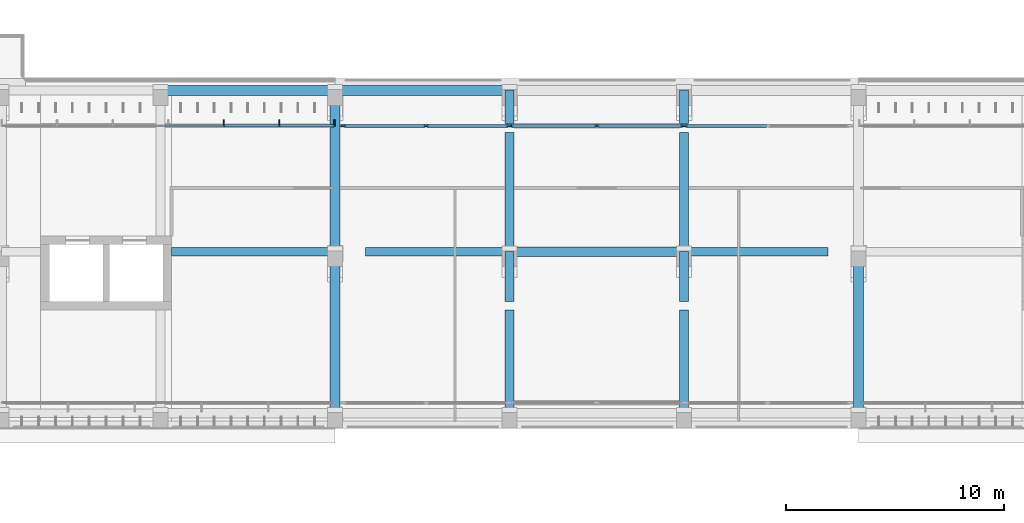
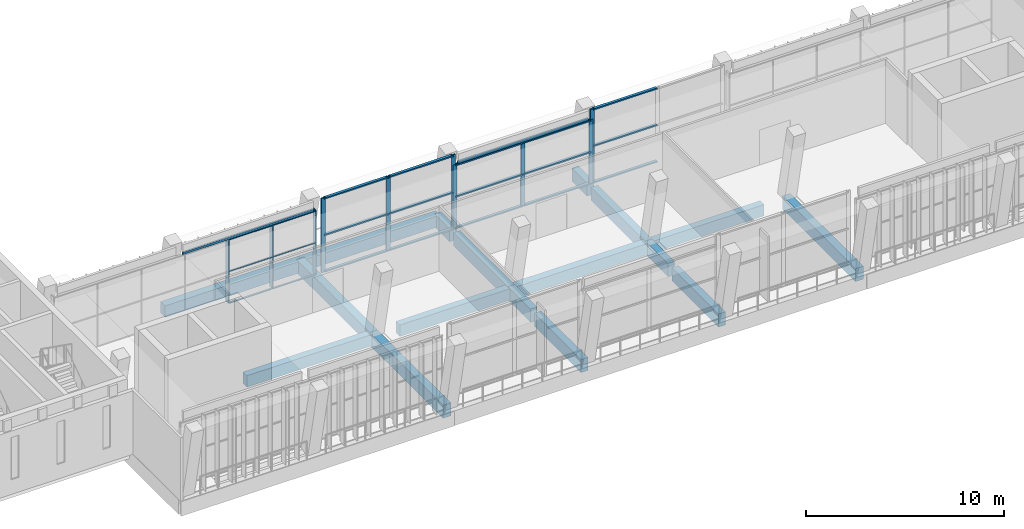
# One storey, part 7 of 73: 31 members, 19 beams, 4 elements without a shape of their own.
"""IFC4 building model written with IfcOpenShell, lengths in metres."""

import ifcopenshell
import ifcopenshell.guid

model = None  # the IFC model being written
_history = None  # IfcOwnerHistory: only IFC2X3 demands one
_inside = {}  # id of a spatial element -> (the spatial element, [elements in it])
_under = {}  # id of a project, library or spatial element -> (it, [spatial elements below it])
_declared = {}  # id of a project -> (the project, [libraries it declares])
_typed = {}  # id of a type object -> (the type object, [elements of that type])
_made_of = {}  # id of a material, layer set ... -> (it, [elements and type objects made of it])


def new_model(schema):
    """Start an empty IFC model of exactly this schema.

    Asked for "IFC4X3", IfcOpenShell would pick the latest addendum, in which some entities
    have other attributes; the version numbers below select the first issue.
    IFC2X3 requires an IfcOwnerHistory on every rooted entity: one is made here for all.
    """
    global model, _history
    if schema == "IFC4X3":
        model = ifcopenshell.file(schema_version=(4, 3, 0, 0))
    else:
        model = ifcopenshell.file(schema=schema)
    _inside.clear()
    _under.clear()
    _declared.clear()
    _typed.clear()
    _made_of.clear()
    _history = None
    if model.schema == "IFC2X3":
        org = make("IfcOrganization", Name="unknown")
        user = make(
            "IfcPersonAndOrganization",
            ThePerson=make("IfcPerson", FamilyName="unknown"),
            TheOrganization=org,
        )
        app = make(
            "IfcApplication",
            ApplicationDeveloper=org,
            Version="unknown",
            ApplicationFullName="unknown",
            ApplicationIdentifier="unknown",
        )
        _history = make(
            "IfcOwnerHistory",
            OwningUser=user,
            OwningApplication=app,
            ChangeAction="ADDED",
            CreationDate=0,
        )
    return model


def make(cls, **values):
    """One entity of the class cls with the attributes given. An attribute that is None is left unset."""
    return model.create_entity(
        cls, **{name: value for name, value in values.items() if value is not None}
    )


def rooted(cls, **values):
    """An entity with a GlobalId (a new one), such as an element, a storey or a relation."""
    return make(cls, GlobalId=ifcopenshell.guid.new(), OwnerHistory=_history, **values)


def si_unit(unit_type, name, prefix=None):
    """IfcSIUnit, for example si_unit("LENGTHUNIT", "METRE", prefix="MILLI")."""
    return make("IfcSIUnit", UnitType=unit_type, Prefix=prefix, Name=name)


def assignment(units):
    """IfcUnitAssignment: the units of a project."""
    return None if units is None else make("IfcUnitAssignment", Units=units)


def point(xyz):
    """IfcCartesianPoint."""
    return None if xyz is None else make("IfcCartesianPoint", Coordinates=xyz)


def direction(xyz):
    """IfcDirection."""
    return None if xyz is None else make("IfcDirection", DirectionRatios=xyz)


def frame(location, z_axis=None, x_axis=None):
    """IfcAxis2Placement3D, a coordinate frame: its origin and axes. An axis left out is left unset."""
    return make(
        "IfcAxis2Placement3D",
        Location=point(location),
        Axis=direction(z_axis),
        RefDirection=direction(x_axis),
    )


def frame_2d(location, x_axis=None):
    """IfcAxis2Placement2D, a coordinate frame in the plane: its origin and x axis."""
    return make(
        "IfcAxis2Placement2D", Location=point(location), RefDirection=direction(x_axis)
    )


def origin():
    """The frame at (0, 0, 0) with its axes left unset."""
    return frame((0.0, 0.0, 0.0))


def origin_2d():
    """The frame at (0, 0) in the plane with its x axis left unset."""
    return frame_2d((0.0, 0.0))


def place(relative_to, where):
    """IfcLocalPlacement: puts the frame where relative to a parent placement (None: the world)."""
    return make(
        "IfcLocalPlacement", PlacementRelTo=relative_to, RelativePlacement=where
    )


def context(
    kind, dimensions, precision=None, world=None, true_north=None, identifier=None
):
    """IfcGeometricRepresentationContext, for example the 3D "Model" context."""
    return make(
        "IfcGeometricRepresentationContext",
        ContextIdentifier=identifier,
        ContextType=kind,
        CoordinateSpaceDimension=dimensions,
        Precision=precision,
        WorldCoordinateSystem=world,
        TrueNorth=true_north,
    )


def subcontext(parent, identifier, kind, view, scale=None):
    """IfcGeometricRepresentationSubContext, for example "Body" below "Model"."""
    return make(
        "IfcGeometricRepresentationSubContext",
        ContextIdentifier=identifier,
        ContextType=kind,
        ParentContext=parent,
        TargetScale=scale,
        TargetView=view,
    )


def project(units=None, contexts=None):
    """IfcProject with its units and contexts."""
    return rooted(
        "IfcProject",
        Name="project",
        RepresentationContexts=contexts,
        UnitsInContext=assignment(units),
    )


def spatial(cls, under=None, at=None, **own):
    """A site, building, storey or space (cls), placed at a placement, below another one or the project."""
    s = rooted(cls, ObjectPlacement=at, **own)
    if under is not None:
        _under.setdefault(under.id(), (under, []))[1].append(s)
    return s


def profile(cls, at=None, kind="AREA", **sizes):
    """A parametric profile (cls). Its sizes go by their IFC names, for example OverallWidth=200.0."""
    return make(cls, ProfileType=kind, Position=at, **sizes)


def rectangle(**sizes):
    """IfcRectangleProfileDef."""
    return profile("IfcRectangleProfileDef", **sizes)


def hollow_rectangle(**sizes):
    """IfcRectangleHollowProfileDef."""
    return profile("IfcRectangleHollowProfileDef", **sizes)


def extrude(swept, where, along, depth):
    """IfcExtrudedAreaSolid: the profile swept, set in the frame where, extruded along a direction by depth."""
    return make(
        "IfcExtrudedAreaSolid",
        SweptArea=swept,
        Position=where,
        ExtrudedDirection=direction(along),
        Depth=depth,
    )


def shape(context_of_items, identifier, shape_type, items):
    """IfcShapeRepresentation: the items that make up one representation, for example the "Body"."""
    return make(
        "IfcShapeRepresentation",
        ContextOfItems=context_of_items,
        RepresentationIdentifier=identifier,
        RepresentationType=shape_type,
        Items=items,
    )


def material(Name=None, Category=None):
    """IfcMaterial."""
    return make("IfcMaterial", Name=Name, Category=Category)


def material_profile(
    of_material, cross_section, Name=None, Category=None, Priority=None
):
    """IfcMaterialProfile: a cross section and its material."""
    return make(
        "IfcMaterialProfile",
        Name=Name,
        Material=of_material,
        Profile=cross_section,
        Priority=Priority,
        Category=Category,
    )


def profile_set(profiles, Name=None, composite=None):
    """IfcMaterialProfileSet."""
    return make(
        "IfcMaterialProfileSet",
        Name=Name,
        MaterialProfiles=profiles,
        CompositeProfile=composite,
    )


def made_of(thing, what):
    """Note that an element or type object is made of a material, layer set ...; save() writes the relation."""
    if what is not None:
        _made_of.setdefault(what.id(), (what, []))[1].append(thing)
    return thing


def type_object(cls, material=None, **own):
    """A type object (cls), such as IfcWallType, which elements share."""
    return made_of(rooted(cls, **own), material)


def element(
    cls,
    number,
    at=None,
    inside=None,
    cuts=None,
    type_object=None,
    material=None,
    context=None,
    identifier="Body",
    shape_type=None,
    held_by="IfcProductDefinitionShape",
    body=None,
    shapes=None,
    **own,
):
    """One element of the class cls, such as IfcWall. Its Tag is "e" and its number.

    at: its placement. inside: the storey or other place that contains it. cuts: it is an
    opening in that element (IfcRelVoidsElement). A single representation is given by context,
    identifier, shape_type and body (its items); several are given by shapes. held_by: the class
    of the entity that holds the representations. save() writes the other relations.
    """
    e = rooted(cls, Tag="e%d" % number, ObjectPlacement=at, **own)
    if body is not None:
        shapes = [shape(context, identifier, shape_type, body)]
    if shapes is not None:
        e.Representation = make(held_by, Representations=shapes)
    if inside is not None:
        _inside.setdefault(inside.id(), (inside, []))[1].append(e)
    if cuts is not None:
        rooted(
            "IfcRelVoidsElement", RelatingBuildingElement=cuts, RelatedOpeningElement=e
        )
    if type_object is not None:
        _typed.setdefault(type_object.id(), (type_object, []))[1].append(e)
    return made_of(e, material)


def aggregate(whole, parts):
    """IfcRelAggregates: a whole, such as a stair, and the parts it consists of."""
    return rooted("IfcRelAggregates", RelatingObject=whole, RelatedObjects=parts)


def save(model, path):
    """Write the relations noted so far, then the file.

    IfcRelAggregates (storeys below a building ...), IfcRelContainedInSpatialStructure (elements
    in a storey), IfcRelDefinesByType, IfcRelAssociatesMaterial and IfcRelDeclares: one each for
    every whole, place, type object, material and project.
    """
    for whole, parts in _under.values():
        aggregate(whole, parts)
    for where, things in _inside.values():
        rooted(
            "IfcRelContainedInSpatialStructure",
            RelatedElements=things,
            RelatingStructure=where,
        )
    for kind, things in _typed.values():
        rooted("IfcRelDefinesByType", RelatedObjects=things, RelatingType=kind)
    for what, things in _made_of.values():
        rooted("IfcRelAssociatesMaterial", RelatedObjects=things, RelatingMaterial=what)
    for by, libraries in _declared.values():
        rooted("IfcRelDeclares", RelatingContext=by, RelatedDefinitions=libraries)
    model.write(path)


model = new_model("IFC4")

# Units and contexts
model_context = context("Model", 3, precision=1e-05, world=origin(), true_north=direction((0.0, 1.0)))
body_context = subcontext(model_context, "Body", "Model", "MODEL_VIEW")
ifc_project = project(units=[si_unit("LENGTHUNIT", "METRE"), si_unit("AREAUNIT", "SQUARE_METRE"), si_unit("VOLUMEUNIT", "CUBIC_METRE"), si_unit("PLANEANGLEUNIT", "RADIAN"), si_unit("MASSUNIT", "GRAM", prefix="KILO")], contexts=[model_context])

# Site, building, storey
site_placement = place(None, origin())
site = spatial("IfcSite", under=ifc_project, at=site_placement, CompositionType="ELEMENT")
building_placement = place(site_placement, origin())
building = spatial("IfcBuilding", under=site, at=building_placement, Name="Lantern Court Media Centre", CompositionType="ELEMENT")
storey_placement = place(building_placement, frame((0.0, 0.0, 24.0)))
storey = spatial("IfcBuildingStorey", under=building, at=storey_placement, Name="L05", CompositionType="ELEMENT", Elevation=24.0)

# Curtain wall, members
ifc_material_1 = material(Name="Curtain wall bay 2400")
curtain_wall_type_1 = type_object("IfcCurtainWallType", Name="Curtain wall bay 2400", PredefinedType="NOTDEFINED", material=ifc_material_1)
curtain_wall_1_placement = place(storey_placement, origin())
curtain_wall_1 = element("IfcCurtainWall", 1, at=curtain_wall_1_placement, inside=storey, type_object=curtain_wall_type_1, Name="Curtain wall S inner L05", PredefinedType="NOTDEFINED")
ifc_material_2 = material(Name="Anodised aluminium", Category="aluminium")
ifc_material_profile_1 = material_profile(ifc_material_2, rectangle(XDim=0.300048828125, YDim=0.050048828125, at=origin_2d()), Name="AL 50x300")
ifc_profile_set_1 = profile_set([ifc_material_profile_1], Name="Anodised aluminium")
member_type_1 = type_object("IfcMemberType", Name="Curtain wall mullion 50x300", PredefinedType="MULLION", material=ifc_profile_set_1)
member_1_placement = place(storey_placement, frame((34.89990234375, 56.969970703125, 0.0), z_axis=(0.0, 0.0, 1.0), x_axis=(0.0, 1.0, 0.0)))
member_1 = element("IfcMember", 2, at=member_1_placement, type_object=member_type_1, Name="CW2 mullion 5", PredefinedType="MULLION", context=body_context, shape_type="SweptSolid", body=[
    extrude(rectangle(XDim=0.300048828125, YDim=0.050048828125, at=origin_2d()), origin(), (0.0, 0.0, 1.0), 3.949951171875),
])
member_2_placement = place(storey_placement, frame((37.449951171875, 56.969970703125, 0.0), z_axis=(0.0, 0.0, 1.0), x_axis=(0.0, 1.0, 0.0)))
member_2 = element("IfcMember", 3, at=member_2_placement, type_object=member_type_1, Name="CW2 mullion 6", PredefinedType="MULLION", context=body_context, shape_type="SweptSolid", body=[
    extrude(rectangle(XDim=0.300048828125, YDim=0.050048828125, at=origin_2d()), origin(), (0.0, 0.0, 1.0), 3.949951171875),
])
member_3_placement = place(storey_placement, frame((39.97509765625, 56.969970703125, 0.0), z_axis=(0.0, 0.0, 1.0), x_axis=(0.0, 1.0, 0.0)))
member_3 = element("IfcMember", 4, at=member_3_placement, type_object=member_type_1, Name="CW2 mullion 7", PredefinedType="MULLION", context=body_context, shape_type="SweptSolid", body=[
    extrude(rectangle(XDim=0.300048828125, YDim=0.050048828125, at=origin_2d()), origin(), (0.0, 0.0, 1.0), 3.949951171875),
])

ifc_material_3 = material(Name="Curtain wall bay 4000")
curtain_wall_type_2 = type_object("IfcCurtainWallType", Name="Curtain wall bay 4000", PredefinedType="NOTDEFINED", material=ifc_material_3)
curtain_wall_2_placement = place(storey_placement, origin())
curtain_wall_2 = element("IfcCurtainWall", 5, at=curtain_wall_2_placement, inside=storey, type_object=curtain_wall_type_2, Name="Curtain wall S inner L05", PredefinedType="NOTDEFINED")
ifc_material_profile_2 = material_profile(ifc_material_2, rectangle(XDim=0.080078125, YDim=0.239990234375, at=origin_2d()), Name="AL 80x240")
ifc_profile_set_2 = profile_set([ifc_material_profile_2], Name="Anodised aluminium")
member_type_2 = type_object("IfcMemberType", Name="Curtain wall mullion 80x240", PredefinedType="MULLION", material=ifc_profile_set_2)
member_4_placement = place(storey_placement, frame((40.389892578125, 56.85009765625, 0.0), z_axis=(0.0, 0.0, 1.0), x_axis=(0.0, 1.0, 0.0)))
member_4 = element("IfcMember", 6, at=member_4_placement, type_object=member_type_2, Name="CW3 mullion 1", PredefinedType="MULLION", context=body_context, shape_type="SweptSolid", body=[
    extrude(rectangle(XDim=0.080078125, YDim=0.239990234375, at=origin_2d()), origin(), (0.0, 0.0, 1.0), 4.580078125),
])
member_5_placement = place(storey_placement, frame((44.175048828125, 56.85009765625, 0.0), z_axis=(0.0, 0.0, 1.0), x_axis=(0.0, 1.0, 0.0)))
member_5 = element("IfcMember", 7, at=member_5_placement, type_object=member_type_2, Name="CW3 mullion 2", PredefinedType="MULLION", context=body_context, shape_type="SweptSolid", body=[
    extrude(rectangle(XDim=0.080078125, YDim=0.239990234375, at=origin_2d()), origin(), (0.0, 0.0, 1.0), 4.580078125),
])
member_6_placement = place(storey_placement, frame((47.9599609375, 56.85009765625, 0.0), z_axis=(0.0, 0.0, 1.0), x_axis=(0.0, 1.0, 0.0)))
member_6 = element("IfcMember", 8, at=member_6_placement, type_object=member_type_2, Name="CW3 mullion 3", PredefinedType="MULLION", context=body_context, shape_type="SweptSolid", body=[
    extrude(rectangle(XDim=0.080078125, YDim=0.239990234375, at=origin_2d()), origin(), (0.0, 0.0, 1.0), 4.580078125),
])

curtain_wall_3_placement = place(storey_placement, origin())
curtain_wall_3 = element("IfcCurtainWall", 9, at=curtain_wall_3_placement, inside=storey, type_object=curtain_wall_type_2, Name="Curtain wall S inner L05", PredefinedType="NOTDEFINED")
member_7_placement = place(storey_placement, frame((48.0400390625, 56.85009765625, 0.0), z_axis=(0.0, 0.0, 1.0), x_axis=(0.0, 1.0, 0.0)))
member_7 = element("IfcMember", 10, at=member_7_placement, type_object=member_type_2, Name="CW3 mullion 1", PredefinedType="MULLION", context=body_context, shape_type="SweptSolid", body=[
    extrude(rectangle(XDim=0.080078125, YDim=0.239990234375, at=origin_2d()), origin(), (0.0, 0.0, 1.0), 3.949951171875),
])
member_8_placement = place(storey_placement, frame((52.0, 56.85009765625, 0.0), z_axis=(0.0, 0.0, 1.0), x_axis=(0.0, 1.0, 0.0)))
member_8 = element("IfcMember", 11, at=member_8_placement, type_object=member_type_2, Name="CW3 mullion 2", PredefinedType="MULLION", context=body_context, shape_type="SweptSolid", body=[
    extrude(rectangle(XDim=0.080078125, YDim=0.239990234375, at=origin_2d()), origin(), (0.0, 0.0, 1.0), 3.949951171875),
])
member_9_placement = place(storey_placement, frame((55.9599609375, 56.85009765625, 0.0), z_axis=(0.0, 0.0, 1.0), x_axis=(0.0, 1.0, 0.0)))
member_9 = element("IfcMember", 12, at=member_9_placement, type_object=member_type_2, Name="CW3 mullion 3", PredefinedType="MULLION", context=body_context, shape_type="SweptSolid", body=[
    extrude(rectangle(XDim=0.080078125, YDim=0.239990234375, at=origin_2d()), origin(), (0.0, 0.0, 1.0), 3.949951171875),
])

# Curtain wall, member
curtain_wall_4_placement = place(storey_placement, origin())
curtain_wall_4 = element("IfcCurtainWall", 13, at=curtain_wall_4_placement, inside=storey, type_object=curtain_wall_type_2, Name="Curtain wall S inner L05", PredefinedType="NOTDEFINED")
member_10_placement = place(storey_placement, frame((56.0400390625, 56.85009765625, 0.0), z_axis=(0.0, 0.0, 1.0), x_axis=(0.0, 1.0, 0.0)))
member_10 = element("IfcMember", 14, at=member_10_placement, type_object=member_type_2, Name="CW3 mullion 1", PredefinedType="MULLION", context=body_context, shape_type="SweptSolid", body=[
    extrude(rectangle(XDim=0.080078125, YDim=0.239990234375, at=origin_2d()), origin(), (0.0, 0.0, 1.0), 4.580078125),
])

# Member
ifc_material_profile_3 = material_profile(ifc_material_2, rectangle(XDim=0.10009765625, YDim=0.050048828125, at=origin_2d()), Name="AL 50x100")
ifc_profile_set_3 = profile_set([ifc_material_profile_3], Name="Anodised aluminium")
member_type_3 = type_object("IfcMemberType", Name="Curtain wall transom 100x50", PredefinedType="USERDEFINED", material=ifc_profile_set_3)
member_11_placement = place(storey_placement, frame((34.925048828125, 56.85009765625, 0.02490234375), z_axis=(1.0, 0.0, 0.0), x_axis=(0.0, 1.0, 0.0)))
member_11 = element("IfcMember", 15, at=member_11_placement, type_object=member_type_3, Name="CW2 transom 5.1", ObjectType="TRANSOM", PredefinedType="USERDEFINED", context=body_context, shape_type="SweptSolid", body=[
    extrude(rectangle(XDim=0.10009765625, YDim=0.050048828125, at=origin_2d()), origin(), (0.0, 0.0, 1.0), 2.5),
])

member_12_placement = place(storey_placement, frame((34.925048828125, 56.85009765625, 1.97509765625), z_axis=(1.0, 0.0, 0.0), x_axis=(0.0, 1.0, 0.0)))
member_12 = element("IfcMember", 16, at=member_12_placement, type_object=member_type_3, Name="CW2 transom 5.2", ObjectType="TRANSOM", PredefinedType="USERDEFINED", context=body_context, shape_type="SweptSolid", body=[
    extrude(rectangle(XDim=0.10009765625, YDim=0.050048828125, at=origin_2d()), origin(), (0.0, 0.0, 1.0), 2.5),
])

member_13_placement = place(storey_placement, frame((34.925048828125, 56.85009765625, 3.925048828125), z_axis=(1.0, 0.0, 0.0), x_axis=(0.0, 1.0, 0.0)))
member_13 = element("IfcMember", 17, at=member_13_placement, type_object=member_type_3, Name="CW2 transom 5.3", ObjectType="TRANSOM", PredefinedType="USERDEFINED", context=body_context, shape_type="SweptSolid", body=[
    extrude(rectangle(XDim=0.10009765625, YDim=0.050048828125, at=origin_2d()), origin(), (0.0, 0.0, 1.0), 2.5),
])

member_14_placement = place(storey_placement, frame((37.47509765625, 56.85009765625, 0.02490234375), z_axis=(1.0, 0.0, 0.0), x_axis=(0.0, 1.0, 0.0)))
member_14 = element("IfcMember", 18, at=member_14_placement, type_object=member_type_3, Name="CW2 transom 6.1", ObjectType="TRANSOM", PredefinedType="USERDEFINED", context=body_context, shape_type="SweptSolid", body=[
    extrude(rectangle(XDim=0.10009765625, YDim=0.050048828125, at=origin_2d()), origin(), (0.0, 0.0, 1.0), 2.474853515625),
])

member_15_placement = place(storey_placement, frame((37.47509765625, 56.85009765625, 1.97509765625), z_axis=(1.0, 0.0, 0.0), x_axis=(0.0, 1.0, 0.0)))
member_15 = element("IfcMember", 19, at=member_15_placement, type_object=member_type_3, Name="CW2 transom 6.2", ObjectType="TRANSOM", PredefinedType="USERDEFINED", context=body_context, shape_type="SweptSolid", body=[
    extrude(rectangle(XDim=0.10009765625, YDim=0.050048828125, at=origin_2d()), origin(), (0.0, 0.0, 1.0), 2.474853515625),
])

member_16_placement = place(storey_placement, frame((37.47509765625, 56.85009765625, 3.925048828125), z_axis=(1.0, 0.0, 0.0), x_axis=(0.0, 1.0, 0.0)))
member_16 = element("IfcMember", 20, at=member_16_placement, type_object=member_type_3, Name="CW2 transom 6.3", ObjectType="TRANSOM", PredefinedType="USERDEFINED", context=body_context, shape_type="SweptSolid", body=[
    extrude(rectangle(XDim=0.10009765625, YDim=0.050048828125, at=origin_2d()), origin(), (0.0, 0.0, 1.0), 2.474853515625),
])

aggregate(curtain_wall_1, [member_1, member_2, member_3, member_11, member_12, member_13, member_14, member_15, member_16])

ifc_material_profile_4 = material_profile(ifc_material_2, rectangle(XDim=0.159912109375, YDim=0.080078125, at=origin_2d()), Name="AL 80x160")
ifc_profile_set_4 = profile_set([ifc_material_profile_4], Name="Anodised aluminium")
member_type_4 = type_object("IfcMemberType", Name="Curtain wall transom 160x80", PredefinedType="USERDEFINED", material=ifc_profile_set_4)
member_17_placement = place(storey_placement, frame((40.429931640625, 56.85009765625, 0.0400390625), z_axis=(1.0, 0.0, 0.0), x_axis=(0.0, 1.0, 0.0)))
member_17 = element("IfcMember", 21, at=member_17_placement, type_object=member_type_4, Name="CW3 transom 1.1", ObjectType="TRANSOM", PredefinedType="USERDEFINED", context=body_context, shape_type="SweptSolid", body=[
    extrude(rectangle(XDim=0.159912109375, YDim=0.080078125, at=origin_2d()), origin(), (0.0, 0.0, 1.0), 3.705078125),
])

member_18_placement = place(storey_placement, frame((40.429931640625, 56.85009765625, 2.2900390625), z_axis=(1.0, 0.0, 0.0), x_axis=(0.0, 1.0, 0.0)))
member_18 = element("IfcMember", 22, at=member_18_placement, type_object=member_type_4, Name="CW3 transom 1.2", ObjectType="TRANSOM", PredefinedType="USERDEFINED", context=body_context, shape_type="SweptSolid", body=[
    extrude(rectangle(XDim=0.159912109375, YDim=0.080078125, at=origin_2d()), origin(), (0.0, 0.0, 1.0), 3.705078125),
])

member_19_placement = place(storey_placement, frame((40.429931640625, 56.85009765625, 4.5400390625), z_axis=(1.0, 0.0, 0.0), x_axis=(0.0, 1.0, 0.0)))
member_19 = element("IfcMember", 23, at=member_19_placement, type_object=member_type_4, Name="CW3 transom 1.3", ObjectType="TRANSOM", PredefinedType="USERDEFINED", context=body_context, shape_type="SweptSolid", body=[
    extrude(rectangle(XDim=0.159912109375, YDim=0.080078125, at=origin_2d()), origin(), (0.0, 0.0, 1.0), 3.705078125),
])

member_20_placement = place(storey_placement, frame((44.215087890625, 56.85009765625, 0.0400390625), z_axis=(1.0, 0.0, 0.0), x_axis=(0.0, 1.0, 0.0)))
member_20 = element("IfcMember", 24, at=member_20_placement, type_object=member_type_4, Name="CW3 transom 2.1", ObjectType="TRANSOM", PredefinedType="USERDEFINED", context=body_context, shape_type="SweptSolid", body=[
    extrude(rectangle(XDim=0.159912109375, YDim=0.080078125, at=origin_2d()), origin(), (0.0, 0.0, 1.0), 3.704833984375),
])

member_21_placement = place(storey_placement, frame((44.215087890625, 56.85009765625, 2.2900390625), z_axis=(1.0, 0.0, 0.0), x_axis=(0.0, 1.0, 0.0)))
member_21 = element("IfcMember", 25, at=member_21_placement, type_object=member_type_4, Name="CW3 transom 2.2", ObjectType="TRANSOM", PredefinedType="USERDEFINED", context=body_context, shape_type="SweptSolid", body=[
    extrude(rectangle(XDim=0.159912109375, YDim=0.080078125, at=origin_2d()), origin(), (0.0, 0.0, 1.0), 3.704833984375),
])

member_22_placement = place(storey_placement, frame((44.215087890625, 56.85009765625, 4.5400390625), z_axis=(1.0, 0.0, 0.0), x_axis=(0.0, 1.0, 0.0)))
member_22 = element("IfcMember", 26, at=member_22_placement, type_object=member_type_4, Name="CW3 transom 2.3", ObjectType="TRANSOM", PredefinedType="USERDEFINED", context=body_context, shape_type="SweptSolid", body=[
    extrude(rectangle(XDim=0.159912109375, YDim=0.080078125, at=origin_2d()), origin(), (0.0, 0.0, 1.0), 3.704833984375),
])

aggregate(curtain_wall_2, [member_4, member_5, member_6, member_17, member_18, member_19, member_20, member_21, member_22])

member_23_placement = place(storey_placement, frame((48.080078125, 56.85009765625, 0.0400390625), z_axis=(1.0, 0.0, 0.0), x_axis=(0.0, 1.0, 0.0)))
member_23 = element("IfcMember", 27, at=member_23_placement, type_object=member_type_4, Name="CW3 transom 1.1", ObjectType="TRANSOM", PredefinedType="USERDEFINED", context=body_context, shape_type="SweptSolid", body=[
    extrude(rectangle(XDim=0.159912109375, YDim=0.080078125, at=origin_2d()), origin(), (0.0, 0.0, 1.0), 3.8798828125),
])

member_24_placement = place(storey_placement, frame((48.080078125, 56.85009765625, 1.97509765625), z_axis=(1.0, 0.0, 0.0), x_axis=(0.0, 1.0, 0.0)))
member_24 = element("IfcMember", 28, at=member_24_placement, type_object=member_type_4, Name="CW3 transom 1.2", ObjectType="TRANSOM", PredefinedType="USERDEFINED", context=body_context, shape_type="SweptSolid", body=[
    extrude(rectangle(XDim=0.159912109375, YDim=0.080078125, at=origin_2d()), origin(), (0.0, 0.0, 1.0), 3.8798828125),
])

member_25_placement = place(storey_placement, frame((48.080078125, 56.85009765625, 3.909912109375), z_axis=(1.0, 0.0, 0.0), x_axis=(0.0, 1.0, 0.0)))
member_25 = element("IfcMember", 29, at=member_25_placement, type_object=member_type_4, Name="CW3 transom 1.3", ObjectType="TRANSOM", PredefinedType="USERDEFINED", context=body_context, shape_type="SweptSolid", body=[
    extrude(rectangle(XDim=0.159912109375, YDim=0.080078125, at=origin_2d()), origin(), (0.0, 0.0, 1.0), 3.8798828125),
])

member_26_placement = place(storey_placement, frame((52.0400390625, 56.85009765625, 0.0400390625), z_axis=(1.0, 0.0, 0.0), x_axis=(0.0, 1.0, 0.0)))
member_26 = element("IfcMember", 30, at=member_26_placement, type_object=member_type_4, Name="CW3 transom 2.1", ObjectType="TRANSOM", PredefinedType="USERDEFINED", context=body_context, shape_type="SweptSolid", body=[
    extrude(rectangle(XDim=0.159912109375, YDim=0.080078125, at=origin_2d()), origin(), (0.0, 0.0, 1.0), 3.8798828125),
])

member_27_placement = place(storey_placement, frame((52.0400390625, 56.85009765625, 1.97509765625), z_axis=(1.0, 0.0, 0.0), x_axis=(0.0, 1.0, 0.0)))
member_27 = element("IfcMember", 31, at=member_27_placement, type_object=member_type_4, Name="CW3 transom 2.2", ObjectType="TRANSOM", PredefinedType="USERDEFINED", context=body_context, shape_type="SweptSolid", body=[
    extrude(rectangle(XDim=0.159912109375, YDim=0.080078125, at=origin_2d()), origin(), (0.0, 0.0, 1.0), 3.8798828125),
])

member_28_placement = place(storey_placement, frame((52.0400390625, 56.85009765625, 3.909912109375), z_axis=(1.0, 0.0, 0.0), x_axis=(0.0, 1.0, 0.0)))
member_28 = element("IfcMember", 32, at=member_28_placement, type_object=member_type_4, Name="CW3 transom 2.3", ObjectType="TRANSOM", PredefinedType="USERDEFINED", context=body_context, shape_type="SweptSolid", body=[
    extrude(rectangle(XDim=0.159912109375, YDim=0.080078125, at=origin_2d()), origin(), (0.0, 0.0, 1.0), 3.8798828125),
])

aggregate(curtain_wall_3, [member_7, member_8, member_9, member_23, member_24, member_25, member_26, member_27, member_28])

member_29_placement = place(storey_placement, frame((56.080078125, 56.85009765625, 0.0400390625), z_axis=(1.0, 0.0, 0.0), x_axis=(0.0, 1.0, 0.0)))
member_29 = element("IfcMember", 33, at=member_29_placement, type_object=member_type_4, Name="CW3 transom 1.1", ObjectType="TRANSOM", PredefinedType="USERDEFINED", context=body_context, shape_type="SweptSolid", body=[
    extrude(rectangle(XDim=0.159912109375, YDim=0.080078125, at=origin_2d()), origin(), (0.0, 0.0, 1.0), 3.704833984375),
])

member_30_placement = place(storey_placement, frame((56.080078125, 56.85009765625, 2.2900390625), z_axis=(1.0, 0.0, 0.0), x_axis=(0.0, 1.0, 0.0)))
member_30 = element("IfcMember", 34, at=member_30_placement, type_object=member_type_4, Name="CW3 transom 1.2", ObjectType="TRANSOM", PredefinedType="USERDEFINED", context=body_context, shape_type="SweptSolid", body=[
    extrude(rectangle(XDim=0.159912109375, YDim=0.080078125, at=origin_2d()), origin(), (0.0, 0.0, 1.0), 3.704833984375),
])

member_31_placement = place(storey_placement, frame((56.080078125, 56.85009765625, 4.5400390625), z_axis=(1.0, 0.0, 0.0), x_axis=(0.0, 1.0, 0.0)))
member_31 = element("IfcMember", 35, at=member_31_placement, type_object=member_type_4, Name="CW3 transom 1.3", ObjectType="TRANSOM", PredefinedType="USERDEFINED", context=body_context, shape_type="SweptSolid", body=[
    extrude(rectangle(XDim=0.159912109375, YDim=0.080078125, at=origin_2d()), origin(), (0.0, 0.0, 1.0), 3.704833984375),
])

aggregate(curtain_wall_4, [member_10, member_29, member_30, member_31])

# Beams
ifc_material_4 = material(Name="Steel S355J2 (EN 10025-2)", Category="steel")
ifc_material_profile_5 = material_profile(ifc_material_4, hollow_rectangle(XDim=0.10009765625, YDim=0.14990234375, WallThickness=0.00634765625, InnerFilletRadius=0.00634765625, OuterFilletRadius=0.009521484375, at=origin_2d()), Name="Facade head lintel RHS 150x100x6.3")
ifc_profile_set_5 = profile_set([ifc_material_profile_5], Name="Steel S355J2 (EN 10025-2)")
beam_type_1 = type_object("IfcBeamType", Name="Facade head lintel RHS 150x100x6.3", PredefinedType="BEAM", material=ifc_profile_set_5)
for number, where, z_axis, x_axis, name in (
    (36, (32.199951171875, 56.85009765625, 4.02490234375), (1.0, 0.0, 0.0), (0.0, 1.0, 0.0), "Facade head lintel S L05"),
    (37, (48.199951171875, 56.85009765625, 4.02490234375), (1.0, 0.0, 0.0), (0.0, 1.0, 0.0), "Facade head lintel S L05"),
):
    element("IfcBeam", number, at=place(storey_placement, frame(where, z_axis=z_axis, x_axis=x_axis)), inside=storey, type_object=beam_type_1, Name=name, PredefinedType="BEAM", context=body_context, shape_type="SweptSolid", body=[
        extrude(hollow_rectangle(XDim=0.10009765625, YDim=0.14990234375, WallThickness=0.00634765625, InnerFilletRadius=0.00634765625, OuterFilletRadius=0.009521484375, at=origin_2d()), origin(), (0.0, 0.0, 1.0), 7.60009765625),
    ])
ifc_material_5 = material(Name="Concrete C35", Category="concrete")
ifc_material_profile_6 = material_profile(ifc_material_5, rectangle(XDim=0.39990234375, YDim=0.699951171875, at=origin_2d()), Name="RC 400x700")
ifc_profile_set_6 = profile_set([ifc_material_profile_6], Name="Concrete C35")
beam_type_2 = type_object("IfcBeamType", Name="RC BEAM 400x700", PredefinedType="BEAM", material=ifc_profile_set_6)
beam_1_placement = place(storey_placement, frame((32.5, 51.072998046875, -0.35009765625), z_axis=(1.0, 0.0, 0.0), x_axis=(0.0, 1.0, 0.0)))
element("IfcBeam", 38, at=beam_1_placement, inside=storey, type_object=beam_type_2, Name="LB-S-L05-1-01", PredefinedType="BEAM", context=body_context, shape_type="SweptSolid", body=[
    extrude(rectangle(XDim=0.39990234375, YDim=0.699951171875, at=origin_2d()), origin(), (0.0, 0.0, 1.0), 7.5),
])
for number, where, z_axis, x_axis, name in (
    (39, (41.39990234375, 51.072998046875, -0.35009765625), (1.0, 0.0, 0.0), (0.0, 1.0, 0.0), "LB-S-L05-1-2"),
    (40, (56.0, 51.072998046875, -0.35009765625), (1.0, 0.0, 0.0), (0.0, 1.0, 0.0), "LB-S-L05-1-4"),
):
    element("IfcBeam", number, at=place(storey_placement, frame(where, z_axis=z_axis, x_axis=x_axis)), inside=storey, type_object=beam_type_2, Name=name, PredefinedType="BEAM", context=body_context, shape_type="SweptSolid", body=[
        extrude(rectangle(XDim=0.39990234375, YDim=0.699951171875, at=origin_2d()), origin(), (0.0, 0.0, 1.0), 6.60009765625),
    ])
ifc_material_profile_7 = material_profile(ifc_material_5, rectangle(XDim=0.39990234375, YDim=0.800048828125, at=origin_2d()), Name="RC 400x800")
ifc_profile_set_7 = profile_set([ifc_material_profile_7], Name="Concrete C35")
beam_type_3 = type_object("IfcBeamType", Name="RC BEAM 400x800", PredefinedType="BEAM", material=ifc_profile_set_7)
beam_2_placement = place(storey_placement, frame((48.0, 43.683349609375, -0.39990234375), z_axis=(0.0, 1.0, 0.0), x_axis=(-1.0, 0.0, 0.0)))
element("IfcBeam", 41, at=beam_2_placement, inside=storey, type_object=beam_type_3, Name="TB-S-L05-3-1", PredefinedType="BEAM", context=body_context, shape_type="SweptSolid", body=[
    extrude(rectangle(XDim=0.39990234375, YDim=0.800048828125, at=origin_2d()), origin(), (0.0, 0.0, 1.0), 4.716552734375),
])
beam_3_placement = place(storey_placement, frame((48.0, 48.800048828125, -0.39990234375), z_axis=(0.0, 1.0, 0.0), x_axis=(-1.0, 0.0, 0.0)))
element("IfcBeam", 42, at=beam_3_placement, inside=storey, type_object=beam_type_3, Name="TB-S-L05-3-11", PredefinedType="BEAM", context=body_context, shape_type="SweptSolid", body=[
    extrude(rectangle(XDim=0.39990234375, YDim=0.800048828125, at=origin_2d()), origin(), (0.0, 0.0, 1.0), 2.283203125),
])
beam_4_placement = place(storey_placement, frame((48.0, 51.083251953125, -0.39990234375), z_axis=(0.0, 1.0, 0.0), x_axis=(-1.0, 0.0, 0.0)))
element("IfcBeam", 43, at=beam_4_placement, inside=storey, type_object=beam_type_3, Name="TB-S-L05-3-2", PredefinedType="BEAM", context=body_context, shape_type="SweptSolid", body=[
    extrude(rectangle(XDim=0.39990234375, YDim=0.800048828125, at=origin_2d()), origin(), (0.0, 0.0, 1.0), 5.466796875),
])
beam_5_placement = place(storey_placement, frame((48.0, 56.949951171875, -0.39990234375), z_axis=(0.0, 1.0, 0.0), x_axis=(-1.0, 0.0, 0.0)))
element("IfcBeam", 44, at=beam_5_placement, inside=storey, type_object=beam_type_3, Name="TB-S-L05-3-21", PredefinedType="BEAM", context=body_context, shape_type="SweptSolid", body=[
    extrude(rectangle(XDim=0.39990234375, YDim=0.800048828125, at=origin_2d()), origin(), (0.0, 0.0, 1.0), 1.533447265625),
])
beam_6_placement = place(storey_placement, frame((56.0, 43.683349609375, -0.39990234375), z_axis=(0.0, 1.0, 0.0), x_axis=(-1.0, 0.0, 0.0)))
element("IfcBeam", 45, at=beam_6_placement, inside=storey, type_object=beam_type_3, Name="TB-S-L05-4-1", PredefinedType="BEAM", context=body_context, shape_type="SweptSolid", body=[
    extrude(rectangle(XDim=0.39990234375, YDim=0.800048828125, at=origin_2d()), origin(), (0.0, 0.0, 1.0), 4.716552734375),
])
beam_7_placement = place(storey_placement, frame((56.0, 48.800048828125, -0.39990234375), z_axis=(0.0, 1.0, 0.0), x_axis=(-1.0, 0.0, 0.0)))
element("IfcBeam", 46, at=beam_7_placement, inside=storey, type_object=beam_type_3, Name="TB-S-L05-4-11", PredefinedType="BEAM", context=body_context, shape_type="SweptSolid", body=[
    extrude(rectangle(XDim=0.39990234375, YDim=0.800048828125, at=origin_2d()), origin(), (0.0, 0.0, 1.0), 2.283203125),
])
beam_8_placement = place(storey_placement, frame((56.0, 51.083251953125, -0.39990234375), z_axis=(0.0, 1.0, 0.0), x_axis=(-1.0, 0.0, 0.0)))
element("IfcBeam", 47, at=beam_8_placement, inside=storey, type_object=beam_type_3, Name="TB-S-L05-4-2", PredefinedType="BEAM", context=body_context, shape_type="SweptSolid", body=[
    extrude(rectangle(XDim=0.39990234375, YDim=0.800048828125, at=origin_2d()), origin(), (0.0, 0.0, 1.0), 5.466796875),
])
beam_9_placement = place(storey_placement, frame((56.0, 56.949951171875, -0.39990234375), z_axis=(0.0, 1.0, 0.0), x_axis=(-1.0, 0.0, 0.0)))
element("IfcBeam", 48, at=beam_9_placement, inside=storey, type_object=beam_type_3, Name="TB-S-L05-4-21", PredefinedType="BEAM", context=body_context, shape_type="SweptSolid", body=[
    extrude(rectangle(XDim=0.39990234375, YDim=0.800048828125, at=origin_2d()), origin(), (0.0, 0.0, 1.0), 1.533447265625),
])
ifc_material_profile_8 = material_profile(ifc_material_5, rectangle(XDim=0.449951171875, YDim=0.699951171875, at=origin_2d()), Name="RC 450x700")
ifc_profile_set_8 = profile_set([ifc_material_profile_8], Name="Concrete C35")
beam_type_4 = type_object("IfcBeamType", Name="RC BEAM 450x700", PredefinedType="BEAM", material=ifc_profile_set_8)
for number, where, z_axis, x_axis, name in (
    (49, (48.0, 51.072998046875, -0.35009765625), (1.0, 0.0, 0.0), (0.0, 1.0, 0.0), "LB-S-L05-1-3"),
    (50, (32.0, 58.472900390625, -0.35009765625), (1.0, 0.0, 0.0), (0.0, 1.0, 0.0), "LB-S-L05-2-1"),
    (51, (40.0, 58.472900390625, -0.35009765625), (1.0, 0.0, 0.0), (0.0, 1.0, 0.0), "LB-S-L05-2-2"),
):
    element("IfcBeam", number, at=place(storey_placement, frame(where, z_axis=z_axis, x_axis=x_axis)), inside=storey, type_object=beam_type_4, Name=name, PredefinedType="BEAM", context=body_context, shape_type="SweptSolid", body=[
        extrude(rectangle(XDim=0.449951171875, YDim=0.699951171875, at=origin_2d()), origin(), (0.0, 0.0, 1.0), 8.0),
    ])
ifc_material_profile_9 = material_profile(ifc_material_5, rectangle(XDim=0.449951171875, YDim=0.800048828125, at=origin_2d()), Name="RC 450x800")
ifc_profile_set_9 = profile_set([ifc_material_profile_9], Name="Concrete C35")
beam_type_5 = type_object("IfcBeamType", Name="RC BEAM 450x800", PredefinedType="BEAM", material=ifc_profile_set_9)
beam_10_placement = place(storey_placement, frame((40.0, 43.683349609375, -0.39990234375), z_axis=(0.0, 1.0, 0.0), x_axis=(-1.0, 0.0, 0.0)))
element("IfcBeam", 52, at=beam_10_placement, inside=storey, type_object=beam_type_5, Name="TB-S-L05-2-1", PredefinedType="BEAM", context=body_context, shape_type="SweptSolid", body=[
    extrude(rectangle(XDim=0.449951171875, YDim=0.800048828125, at=origin_2d()), origin(), (0.0, 0.0, 1.0), 7.39990234375),
])
beam_11_placement = place(storey_placement, frame((40.0, 51.083251953125, -0.39990234375), z_axis=(0.0, 1.0, 0.0), x_axis=(-1.0, 0.0, 0.0)))
element("IfcBeam", 53, at=beam_11_placement, inside=storey, type_object=beam_type_5, Name="TB-S-L05-2-2", PredefinedType="BEAM", context=body_context, shape_type="SweptSolid", body=[
    extrude(rectangle(XDim=0.449951171875, YDim=0.800048828125, at=origin_2d()), origin(), (0.0, 0.0, 1.0), 7.400146484375),
])
beam_12_placement = place(storey_placement, frame((64.0, 43.683349609375, -0.39990234375), z_axis=(0.0, 1.0, 0.0), x_axis=(-1.0, 0.0, 0.0)))
element("IfcBeam", 54, at=beam_12_placement, inside=storey, type_object=beam_type_5, Name="TB-S-L05-5-1", PredefinedType="BEAM", context=body_context, shape_type="SweptSolid", body=[
    extrude(rectangle(XDim=0.449951171875, YDim=0.800048828125, at=origin_2d()), origin(), (0.0, 0.0, 1.0), 7.39990234375),
])

save(model, "model.ifc")
